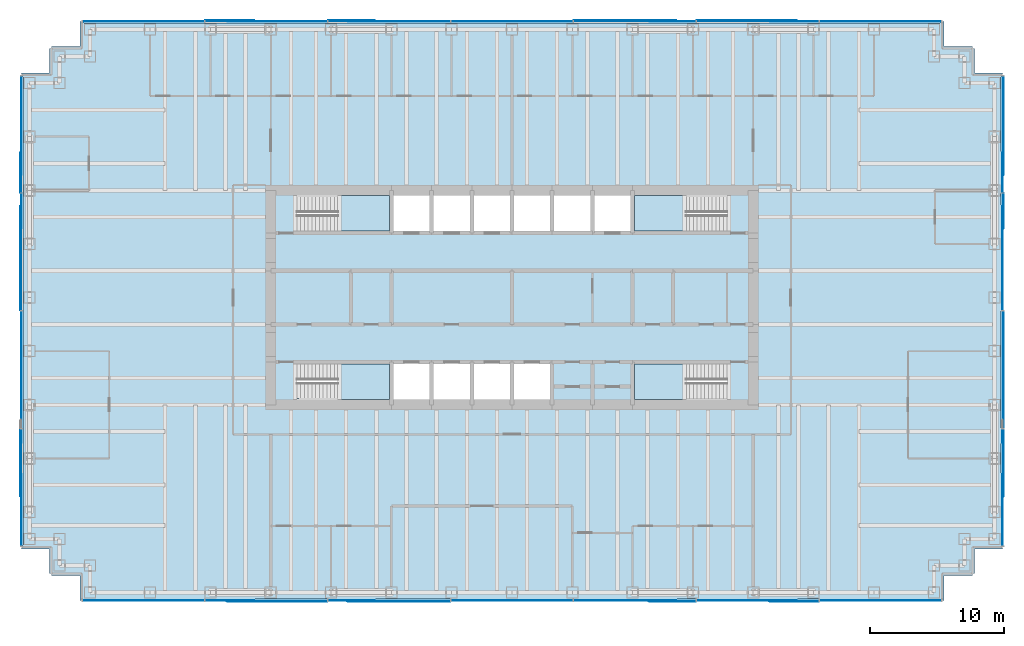
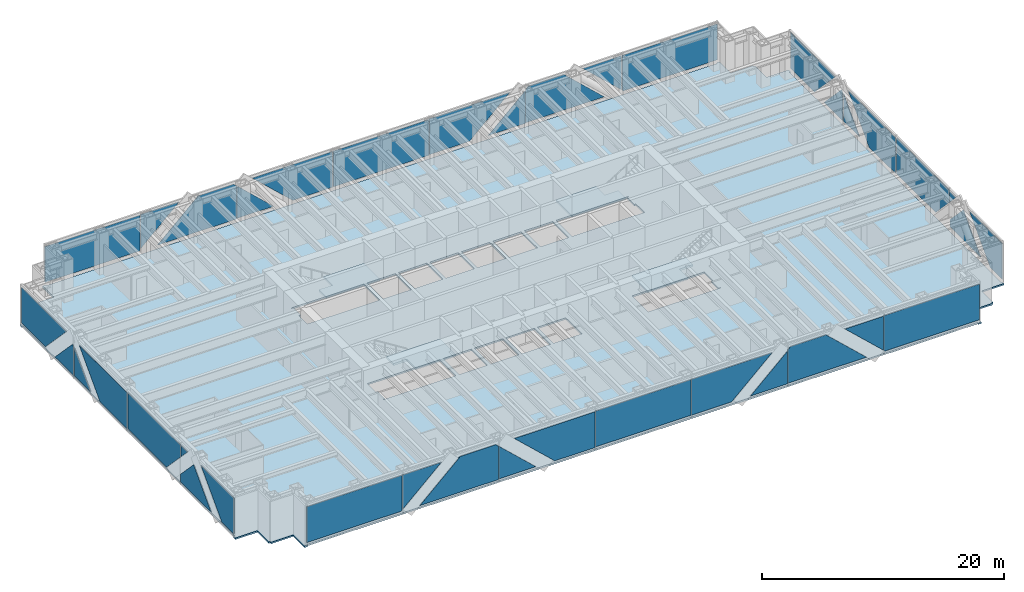
# One storey, part 9 of 17: 38 plates, 5 slabs, 8 elements without a shape of their own.
"""IFC4 building model written with IfcOpenShell, lengths in metres."""

from ifc_helpers import new_model, si_unit, direction, frame, origin, origin_2d, place, context, subcontext, project, spatial, polyline, rectangle, outline, extrude, material, layer, layer_set, type_object, element, aggregate, save


model = new_model("IFC4")

# Units and contexts
model_context = context("Model", 3, precision=1e-05, world=origin(), true_north=direction((0.0, 1.0)))
body_context = subcontext(model_context, "Body", "Model", "MODEL_VIEW")
ifc_project = project(units=[si_unit("LENGTHUNIT", "METRE"), si_unit("AREAUNIT", "SQUARE_METRE"), si_unit("VOLUMEUNIT", "CUBIC_METRE"), si_unit("PLANEANGLEUNIT", "RADIAN"), si_unit("MASSUNIT", "GRAM", prefix="KILO")], contexts=[model_context])

# Site, building, storey
site_placement = place(None, origin())
site = spatial("IfcSite", under=ifc_project, at=site_placement, CompositionType="ELEMENT")
building_placement = place(site_placement, origin())
building = spatial("IfcBuilding", under=site, at=building_placement, Name="Rheinbord Bourse Tower", CompositionType="ELEMENT")
storey_placement = place(building_placement, frame((0.0, 0.0, 223.60009765625)))
storey = spatial("IfcBuildingStorey", under=building, at=storey_placement, Name="L50", CompositionType="ELEMENT", Elevation=223.60009765625)

# Slab
ifc_material_1 = material(Name="Concrete C30/37", Category="concrete")
ifc_layer_1 = layer(ifc_material_1, 0.159912109375)
ifc_layer_set_1 = layer_set([ifc_layer_1], Name="COMPOSITE FLOOR SLAB 160")
slab_type_1 = type_object("IfcSlabType", Name="COMPOSITE FLOOR SLAB 160", PredefinedType="FLOOR", material=ifc_layer_set_1)
slab_1_placement = place(storey_placement, frame((0.0, 0.0, -0.16015625)))
element("IfcSlab", 1, at=slab_1_placement, inside=storey, type_object=slab_type_1, Name="Floor slab L50", PredefinedType="FLOOR", context=body_context, shape_type="SweptSolid", body=[
    extrude(outline(polyline([(1.64990234375, 3.39990234375), (1.5, 3.39990234375), (1.5, 5.25), (-0.60009765625, 5.25), (-0.60009765625, 5.550048828125), (-0.5, 5.550048828125), (-0.5, 40.449951171875), (-0.60009765625, 40.449951171875), (-0.60009765625, 40.75), (1.5, 40.75), (1.5, 42.60009765625), (1.64990234375, 42.60009765625), (1.64990234375, 42.75), (3.75, 42.75), (3.75, 44.60009765625), (4.050048828125, 44.60009765625), (4.050048828125, 44.5), (67.949951171875, 44.5), (67.949951171875, 44.60009765625), (68.25, 44.60009765625), (68.25, 42.75), (70.35009765625, 42.75), (70.35009765625, 42.60009765625), (70.5, 42.60009765625), (70.5, 40.75), (72.60009765625, 40.75), (72.60009765625, 40.449951171875), (72.5, 40.449951171875), (72.5, 5.550048828125), (72.60009765625, 5.550048828125), (72.60009765625, 5.25), (70.5, 5.25), (70.5, 3.39990234375), (70.35009765625, 3.39990234375), (70.35009765625, 3.25), (68.25, 3.25), (68.25, 1.39990234375), (67.949951171875, 1.39990234375), (67.949951171875, 1.5), (4.050048828125, 1.5), (4.050048828125, 1.39990234375), (3.75, 1.39990234375), (3.75, 3.25), (1.64990234375, 3.25), (1.64990234375, 3.39990234375)]), holes=[polyline([(19.949951171875, 19.050048828125), (26.85009765625, 19.050048828125), (26.85009765625, 16.39990234375), (19.949951171875, 16.39990234375), (19.949951171875, 16.449951171875), (20.10009765625, 16.449951171875), (20.10009765625, 17.64990234375), (19.949951171875, 17.64990234375), (19.949951171875, 19.050048828125)]), polyline([(19.949951171875, 31.60009765625), (26.85009765625, 31.60009765625), (26.85009765625, 28.949951171875), (19.949951171875, 28.949951171875), (19.949951171875, 30.35009765625), (20.10009765625, 30.35009765625), (20.10009765625, 31.550048828125), (19.949951171875, 31.550048828125), (19.949951171875, 31.60009765625)]), polyline([(52.050048828125, 16.39990234375), (45.14990234375, 16.39990234375), (45.14990234375, 19.050048828125), (52.050048828125, 19.050048828125), (52.050048828125, 17.64990234375), (51.89990234375, 17.64990234375), (51.89990234375, 16.449951171875), (52.050048828125, 16.449951171875), (52.050048828125, 16.39990234375)]), polyline([(52.050048828125, 28.949951171875), (45.14990234375, 28.949951171875), (45.14990234375, 31.60009765625), (52.050048828125, 31.60009765625), (52.050048828125, 31.550048828125), (51.89990234375, 31.550048828125), (51.89990234375, 30.35009765625), (52.050048828125, 30.35009765625), (52.050048828125, 28.949951171875)]), polyline([(27.14990234375, 16.39990234375), (27.14990234375, 19.050048828125), (29.85009765625, 19.050048828125), (29.85009765625, 16.39990234375), (27.14990234375, 16.39990234375)]), polyline([(27.14990234375, 28.949951171875), (27.14990234375, 31.60009765625), (29.85009765625, 31.60009765625), (29.85009765625, 28.949951171875), (27.14990234375, 28.949951171875)]), polyline([(30.14990234375, 16.39990234375), (30.14990234375, 19.050048828125), (32.85009765625, 19.050048828125), (32.85009765625, 16.39990234375), (30.14990234375, 16.39990234375)]), polyline([(30.14990234375, 28.949951171875), (30.14990234375, 31.60009765625), (32.85009765625, 31.60009765625), (32.85009765625, 28.949951171875), (30.14990234375, 28.949951171875)]), polyline([(33.14990234375, 16.39990234375), (33.14990234375, 19.050048828125), (35.85009765625, 19.050048828125), (35.85009765625, 16.39990234375), (33.14990234375, 16.39990234375)]), polyline([(33.14990234375, 28.949951171875), (33.14990234375, 31.60009765625), (35.85009765625, 31.60009765625), (35.85009765625, 28.949951171875), (33.14990234375, 28.949951171875)]), polyline([(36.14990234375, 16.39990234375), (36.14990234375, 19.050048828125), (38.85009765625, 19.050048828125), (38.85009765625, 16.39990234375), (36.14990234375, 16.39990234375)]), polyline([(36.14990234375, 28.949951171875), (36.14990234375, 31.60009765625), (38.85009765625, 31.60009765625), (38.85009765625, 28.949951171875), (36.14990234375, 28.949951171875)]), polyline([(39.14990234375, 28.949951171875), (39.14990234375, 31.60009765625), (41.85009765625, 31.60009765625), (41.85009765625, 28.949951171875), (39.14990234375, 28.949951171875)]), polyline([(42.14990234375, 28.949951171875), (42.14990234375, 31.60009765625), (44.85009765625, 31.60009765625), (44.85009765625, 28.949951171875), (42.14990234375, 28.949951171875)])]), origin(), (0.0, 0.0, 1.0), 0.16015625),
])

# Curtain wall, plates
ifc_material_2 = material(Name="Dark glass and black aluminium", Category="aluminium")
curtain_wall_type = type_object("IfcCurtainWallType", Name="CW2 DARK GLASS CURTAIN WALL", PredefinedType="USERDEFINED", material=ifc_material_2)
curtain_wall_1_placement = place(storey_placement, origin())
curtain_wall_1 = element("IfcCurtainWall", 2, at=curtain_wall_1_placement, inside=storey, type_object=curtain_wall_type, Name="Curtain wall CW2 S L50", ObjectType="UNITISED CURTAIN WALL", PredefinedType="USERDEFINED")
ifc_material_3 = material(Name="Dark tinted triple insulating glass", Category="glass")
ifc_layer_2 = layer(ifc_material_3, 0.050048828125)
ifc_layer_set_2 = layer_set([ifc_layer_2], Name="CW2 DARK GLASS PANEL")
plate_type = type_object("IfcPlateType", Name="CW2 DARK GLASS PANEL", PredefinedType="CURTAIN_PANEL", material=ifc_layer_set_2)
plate_1_placement = place(storey_placement, frame((36.0, 1.39990234375, 0.2998046875), z_axis=(0.0, 0.0, 1.0), x_axis=(1.0, 0.0, 0.0)))
plate_1 = element("IfcPlate", 3, at=plate_1_placement, type_object=plate_type, Name="CW2 panel 4.1", PredefinedType="CURTAIN_PANEL", context=body_context, shape_type="SweptSolid", body=[
    extrude(rectangle(XDim=9.101318359375, YDim=0.050048828125, at=origin_2d()), origin(), (0.0, 0.0, 1.0), 3.60009765625),
])
plate_2_placement = place(storey_placement, frame((3.969970703125, 1.375, 0.2998046875), z_axis=(0.0, 1.0, 0.0), x_axis=(0.0, 0.0, 1.0)))
plate_2 = element("IfcPlate", 4, at=plate_2_placement, type_object=plate_type, Name="CW2 glass facet 1", PredefinedType="CURTAIN_PANEL", context=body_context, shape_type="SweptSolid", body=[
    extrude(outline(polyline([(0.0, 0.0), (3.60009765625, 0.0), (3.60009765625, 9.06591796875), (0.09521484375, 9.06591796875), (0.0, 8.965087890625), (0.0, 0.0)])), origin(), (0.0, 0.0, 1.0), 0.050048828125),
])
plate_3_placement = place(storey_placement, frame((13.10595703125, 1.375, 3.89990234375), z_axis=(0.0, 1.0, 0.0), x_axis=(1.0, 0.0, 0.0)))
plate_3 = element("IfcPlate", 5, at=plate_3_placement, type_object=plate_type, Name="CW2 glass facet 1", PredefinedType="CURTAIN_PANEL", context=body_context, shape_type="SweptSolid", body=[
    extrude(outline(polyline([(0.0, 0.0), (3.68603515625, 0.0), (0.0, 3.43994140625), (0.0, 0.0)])), origin(), (0.0, 0.0, 1.0), 0.050048828125),
])
plate_4_placement = place(storey_placement, frame((22.2080078125, 1.31982421875, 0.2998046875), z_axis=(0.0, 1.0, 0.0), x_axis=(-1.0, 0.0, 0.0)))
plate_4 = element("IfcPlate", 6, at=plate_4_placement, type_object=plate_type, Name="CW2 glass facet 2", PredefinedType="CURTAIN_PANEL", context=body_context, shape_type="SweptSolid", body=[
    extrude(outline(polyline([(0.0, 0.0), (7.5, 0.0), (3.64306640625, 3.60009765625), (0.27294921875, 3.60009765625), (0.0, 3.34521484375), (0.0, 0.0)])), origin(), (0.0, 0.0, 1.0), 0.050048828125),
])
plate_5_placement = place(storey_placement, frame((22.278076171875, 1.375, 0.2998046875), z_axis=(0.0, 1.0, 0.0), x_axis=(0.0, 0.0, 1.0)))
plate_5 = element("IfcPlate", 7, at=plate_5_placement, type_object=plate_type, Name="CW2 glass facet 1", PredefinedType="CURTAIN_PANEL", context=body_context, shape_type="SweptSolid", body=[
    extrude(outline(polyline([(0.0, 0.0), (3.280029296875, 0.0), (0.0, 3.513916015625), (0.0, 0.0)])), origin(), (0.0, 0.0, 1.0), 0.050048828125),
])
plate_6_placement = place(storey_placement, frame((31.37890625, 1.31982421875, 3.89990234375), z_axis=(0.0, 1.0, 0.0), x_axis=(0.0, 0.0, -1.0)))
plate_6 = element("IfcPlate", 8, at=plate_6_placement, type_object=plate_type, Name="CW2 glass facet 2", PredefinedType="CURTAIN_PANEL", context=body_context, shape_type="SweptSolid", body=[
    extrude(outline(polyline([(0.0, 0.0), (3.60009765625, 0.0), (3.60009765625, 3.81396484375), (0.0, 7.6708984375), (0.0, 0.0)])), origin(), (0.0, 0.0, 1.0), 0.050048828125),
])
plate_7_placement = place(storey_placement, frame((40.62109375, 1.375, 0.2998046875), z_axis=(0.0, 1.0, 0.0), x_axis=(0.0, 0.0, 1.0)))
plate_7 = element("IfcPlate", 9, at=plate_7_placement, type_object=plate_type, Name="CW2 glass facet 1", PredefinedType="CURTAIN_PANEL", context=body_context, shape_type="SweptSolid", body=[
    extrude(outline(polyline([(0.0, 0.0), (3.60009765625, 0.0), (3.60009765625, 7.6708984375), (0.0, 3.81396484375), (0.0, 0.0)])), origin(), (0.0, 0.0, 1.0), 0.050048828125),
])
plate_8_placement = place(storey_placement, frame((49.721923828125, 1.31982421875, 0.2998046875), z_axis=(0.0, 1.0, 0.0), x_axis=(-1.0, 0.0, 0.0)))
plate_8 = element("IfcPlate", 10, at=plate_8_placement, type_object=plate_type, Name="CW2 glass facet 2", PredefinedType="CURTAIN_PANEL", context=body_context, shape_type="SweptSolid", body=[
    extrude(outline(polyline([(0.0, 0.0), (3.513916015625, 0.0), (0.0, 3.280029296875), (0.0, 0.0)])), origin(), (0.0, 0.0, 1.0), 0.050048828125),
])
plate_9_placement = place(storey_placement, frame((49.7919921875, 1.375, 0.2998046875), z_axis=(0.0, 1.0, 0.0), x_axis=(0.0, 0.0, 1.0)))
plate_9 = element("IfcPlate", 11, at=plate_9_placement, type_object=plate_type, Name="CW2 glass facet 1", PredefinedType="CURTAIN_PANEL", context=body_context, shape_type="SweptSolid", body=[
    extrude(outline(polyline([(0.0, 0.0), (3.34521484375, 0.0), (3.60009765625, 0.27294921875), (3.60009765625, 3.64306640625), (0.0, 7.5), (0.0, 0.0)])), origin(), (0.0, 0.0, 1.0), 0.050048828125),
])
plate_10_placement = place(storey_placement, frame((58.89404296875, 1.31982421875, 3.89990234375), z_axis=(0.0, 1.0, 0.0), x_axis=(0.0, 0.0, -1.0)))
plate_10 = element("IfcPlate", 12, at=plate_10_placement, type_object=plate_type, Name="CW2 glass facet 2", PredefinedType="CURTAIN_PANEL", context=body_context, shape_type="SweptSolid", body=[
    extrude(outline(polyline([(0.0, 0.0), (3.43994140625, 0.0), (0.0, 3.68603515625), (0.0, 0.0)])), origin(), (0.0, 0.0, 1.0), 0.050048828125),
])
plate_11_placement = place(storey_placement, frame((58.964111328125, 1.375, 3.89990234375), z_axis=(0.0, 1.0, 0.0), x_axis=(1.0, 0.0, 0.0)))
plate_11 = element("IfcPlate", 13, at=plate_11_placement, type_object=plate_type, Name="CW2 glass facet 1", PredefinedType="CURTAIN_PANEL", context=body_context, shape_type="SweptSolid", body=[
    extrude(outline(polyline([(0.0, 0.0), (9.06591796875, 0.0), (9.06591796875, 3.60009765625), (0.100830078125, 3.60009765625), (0.0, 3.5048828125), (0.0, 0.0)])), origin(), (0.0, 0.0, 1.0), 0.050048828125),
])
aggregate(curtain_wall_1, [plate_1, plate_2, plate_3, plate_4, plate_5, plate_6, plate_7, plate_8, plate_9, plate_10, plate_11])

curtain_wall_2_placement = place(storey_placement, origin())
curtain_wall_2 = element("IfcCurtainWall", 14, at=curtain_wall_2_placement, inside=storey, type_object=curtain_wall_type, Name="Curtain wall CW2 E L50", ObjectType="UNITISED CURTAIN WALL", PredefinedType="USERDEFINED")
plate_12_placement = place(storey_placement, frame((72.625, 5.469970703125, 0.2998046875), z_axis=(-1.0, 0.0, 0.0), x_axis=(0.0, 0.0, 1.0)))
plate_12 = element("IfcPlate", 15, at=plate_12_placement, type_object=plate_type, Name="CW2 glass facet 1", PredefinedType="CURTAIN_PANEL", context=body_context, shape_type="SweptSolid", body=[
    extrude(outline(polyline([(0.0, 0.0), (3.60009765625, 0.0), (3.60009765625, 5.408935546875), (0.0, 1.97998046875), (0.0, 0.0)])), origin(), (0.0, 0.0, 1.0), 0.050048828125),
])
plate_13_placement = place(storey_placement, frame((72.68017578125, 14.1650390625, 0.2998046875), z_axis=(-1.0, 0.0, 0.0), x_axis=(0.0, -1.0, 0.0)))
plate_13 = element("IfcPlate", 16, at=plate_13_placement, type_object=plate_type, Name="CW2 glass facet 2", PredefinedType="CURTAIN_PANEL", context=body_context, shape_type="SweptSolid", body=[
    extrude(outline(polyline([(0.0, 0.0), (5.0439453125, 0.0), (2.1650390625, 3.023193359375), (0.0, 0.7490234375), (0.0, 0.0)])), origin(), (0.0, 0.0, 1.0), 0.050048828125),
])
plate_14_placement = place(storey_placement, frame((72.625, 14.1650390625, 3.89990234375), z_axis=(-1.0, 0.0, 0.0), x_axis=(0.0, 0.0, -1.0)))
plate_14 = element("IfcPlate", 17, at=plate_14_placement, type_object=plate_type, Name="CW2 glass facet 3", PredefinedType="CURTAIN_PANEL", context=body_context, shape_type="SweptSolid", body=[
    extrude(outline(polyline([(0.0, 0.0), (1.095947265625, 0.0), (0.0, 1.0439453125), (0.0, 0.0)])), origin(), (0.0, 0.0, 1.0), 0.050048828125),
])
plate_15_placement = place(storey_placement, frame((72.68017578125, 14.235107421875, 3.89990234375), z_axis=(-1.0, 0.0, 0.0), x_axis=(0.0, 1.0, 0.0)))
plate_15 = element("IfcPlate", 18, at=plate_15_placement, type_object=plate_type, Name="CW2 glass facet 2", PredefinedType="CURTAIN_PANEL", context=body_context, shape_type="SweptSolid", body=[
    extrude(outline(polyline([(0.0, 0.0), (8.72998046875, 0.0), (8.72998046875, 3.60009765625), (2.31494140625, 3.60009765625), (0.0, 1.1689453125), (0.0, 0.0)])), origin(), (0.0, 0.0, 1.0), 0.050048828125),
])
plate_16_placement = place(storey_placement, frame((72.625, 23.034912109375, 0.2998046875), z_axis=(-1.0, 0.0, 0.0), x_axis=(0.0, 0.0, 1.0)))
plate_16 = element("IfcPlate", 19, at=plate_16_placement, type_object=plate_type, Name="CW2 glass facet 1", PredefinedType="CURTAIN_PANEL", context=body_context, shape_type="SweptSolid", body=[
    extrude(outline(polyline([(0.0, 0.0), (3.60009765625, 0.0), (3.60009765625, 7.843994140625), (0.0, 4.4150390625), (0.0, 0.0)])), origin(), (0.0, 0.0, 1.0), 0.050048828125),
])
plate_17_placement = place(storey_placement, frame((72.68017578125, 31.764892578125, 0.2998046875), z_axis=(-1.0, 0.0, 0.0), x_axis=(0.0, -1.0, 0.0)))
plate_17 = element("IfcPlate", 20, at=plate_17_placement, type_object=plate_type, Name="CW2 glass facet 2", PredefinedType="CURTAIN_PANEL", context=body_context, shape_type="SweptSolid", body=[
    extrude(outline(polyline([(0.0, 0.0), (2.643798828125, 0.0), (0.0, 2.776123046875), (0.0, 0.0)])), origin(), (0.0, 0.0, 1.0), 0.050048828125),
])
plate_18_placement = place(storey_placement, frame((72.625, 31.8349609375, 0.2998046875), z_axis=(-1.0, 0.0, 0.0), x_axis=(0.0, 0.0, 1.0)))
plate_18 = element("IfcPlate", 21, at=plate_18_placement, type_object=plate_type, Name="CW2 glass facet 1", PredefinedType="CURTAIN_PANEL", context=body_context, shape_type="SweptSolid", body=[
    extrude(outline(polyline([(0.0, 0.0), (2.85009765625, 0.0), (3.023193359375, 0.1650390625), (0.0, 3.0439453125), (0.0, 0.0)])), origin(), (0.0, 0.0, 1.0), 0.050048828125),
])
plate_19_placement = place(storey_placement, frame((72.68017578125, 40.530029296875, 3.89990234375), z_axis=(-1.0, 0.0, 0.0), x_axis=(0.0, 0.0, -1.0)))
plate_19 = element("IfcPlate", 22, at=plate_19_placement, type_object=plate_type, Name="CW2 glass facet 2", PredefinedType="CURTAIN_PANEL", context=body_context, shape_type="SweptSolid", body=[
    extrude(outline(polyline([(0.0, 0.0), (3.60009765625, 0.0), (3.60009765625, 3.97998046875), (0.0, 7.408935546875), (0.0, 0.0)])), origin(), (0.0, 0.0, 1.0), 0.050048828125),
])
aggregate(curtain_wall_2, [plate_12, plate_13, plate_14, plate_15, plate_16, plate_17, plate_18, plate_19])

curtain_wall_3_placement = place(storey_placement, origin())
curtain_wall_3 = element("IfcCurtainWall", 23, at=curtain_wall_3_placement, inside=storey, type_object=curtain_wall_type, Name="Curtain wall CW2 N L50", ObjectType="UNITISED CURTAIN WALL", PredefinedType="USERDEFINED")
plate_20_placement = place(storey_placement, frame((36.0, 44.60009765625, 0.2998046875), z_axis=(0.0, 0.0, 1.0), x_axis=(-1.0, 0.0, 0.0)))
plate_20 = element("IfcPlate", 24, at=plate_20_placement, type_object=plate_type, Name="CW2 panel 4.1", PredefinedType="CURTAIN_PANEL", context=body_context, shape_type="SweptSolid", body=[
    extrude(rectangle(XDim=9.101318359375, YDim=0.050048828125, at=origin_2d()), origin(), (0.0, 0.0, 1.0), 3.60009765625),
])
plate_21_placement = place(storey_placement, frame((68.030029296875, 44.625, 0.2998046875), z_axis=(0.0, -1.0, 0.0), x_axis=(0.0, 0.0, 1.0)))
plate_21 = element("IfcPlate", 25, at=plate_21_placement, type_object=plate_type, Name="CW2 glass facet 1", PredefinedType="CURTAIN_PANEL", context=body_context, shape_type="SweptSolid", body=[
    extrude(outline(polyline([(0.0, 0.0), (3.60009765625, 0.0), (3.60009765625, 9.06591796875), (0.09521484375, 9.06591796875), (0.0, 8.965087890625), (0.0, 0.0)])), origin(), (0.0, 0.0, 1.0), 0.050048828125),
])
plate_22_placement = place(storey_placement, frame((58.89404296875, 44.625, 3.89990234375), z_axis=(0.0, -1.0, 0.0), x_axis=(-1.0, 0.0, 0.0)))
plate_22 = element("IfcPlate", 26, at=plate_22_placement, type_object=plate_type, Name="CW2 glass facet 1", PredefinedType="CURTAIN_PANEL", context=body_context, shape_type="SweptSolid", body=[
    extrude(outline(polyline([(0.0, 0.0), (3.68603515625, 0.0), (0.0, 3.43994140625), (0.0, 0.0)])), origin(), (0.0, 0.0, 1.0), 0.050048828125),
])
plate_23_placement = place(storey_placement, frame((49.7919921875, 44.68017578125, 0.2998046875), z_axis=(0.0, -1.0, 0.0), x_axis=(1.0, 0.0, 0.0)))
plate_23 = element("IfcPlate", 27, at=plate_23_placement, type_object=plate_type, Name="CW2 glass facet 2", PredefinedType="CURTAIN_PANEL", context=body_context, shape_type="SweptSolid", body=[
    extrude(outline(polyline([(0.0, 0.0), (7.5, 0.0), (3.64306640625, 3.60009765625), (0.27294921875, 3.60009765625), (0.0, 3.34521484375), (0.0, 0.0)])), origin(), (0.0, 0.0, 1.0), 0.050048828125),
])
plate_24_placement = place(storey_placement, frame((49.721923828125, 44.625, 0.2998046875), z_axis=(0.0, -1.0, 0.0), x_axis=(0.0, 0.0, 1.0)))
plate_24 = element("IfcPlate", 28, at=plate_24_placement, type_object=plate_type, Name="CW2 glass facet 1", PredefinedType="CURTAIN_PANEL", context=body_context, shape_type="SweptSolid", body=[
    extrude(outline(polyline([(0.0, 0.0), (3.280029296875, 0.0), (0.0, 3.513916015625), (0.0, 0.0)])), origin(), (0.0, 0.0, 1.0), 0.050048828125),
])
plate_25_placement = place(storey_placement, frame((40.62109375, 44.68017578125, 3.89990234375), z_axis=(0.0, -1.0, 0.0), x_axis=(0.0, 0.0, -1.0)))
plate_25 = element("IfcPlate", 29, at=plate_25_placement, type_object=plate_type, Name="CW2 glass facet 2", PredefinedType="CURTAIN_PANEL", context=body_context, shape_type="SweptSolid", body=[
    extrude(outline(polyline([(0.0, 0.0), (3.60009765625, 0.0), (3.60009765625, 3.81396484375), (0.0, 7.6708984375), (0.0, 0.0)])), origin(), (0.0, 0.0, 1.0), 0.050048828125),
])
plate_26_placement = place(storey_placement, frame((31.37890625, 44.625, 0.2998046875), z_axis=(0.0, -1.0, 0.0), x_axis=(0.0, 0.0, 1.0)))
plate_26 = element("IfcPlate", 30, at=plate_26_placement, type_object=plate_type, Name="CW2 glass facet 1", PredefinedType="CURTAIN_PANEL", context=body_context, shape_type="SweptSolid", body=[
    extrude(outline(polyline([(0.0, 0.0), (3.60009765625, 0.0), (3.60009765625, 7.6708984375), (0.0, 3.81396484375), (0.0, 0.0)])), origin(), (0.0, 0.0, 1.0), 0.050048828125),
])
plate_27_placement = place(storey_placement, frame((22.278076171875, 44.68017578125, 0.2998046875), z_axis=(0.0, -1.0, 0.0), x_axis=(1.0, 0.0, 0.0)))
plate_27 = element("IfcPlate", 31, at=plate_27_placement, type_object=plate_type, Name="CW2 glass facet 2", PredefinedType="CURTAIN_PANEL", context=body_context, shape_type="SweptSolid", body=[
    extrude(outline(polyline([(0.0, 0.0), (3.513916015625, 0.0), (0.0, 3.280029296875), (0.0, 0.0)])), origin(), (0.0, 0.0, 1.0), 0.050048828125),
])
plate_28_placement = place(storey_placement, frame((22.2080078125, 44.625, 0.2998046875), z_axis=(0.0, -1.0, 0.0), x_axis=(0.0, 0.0, 1.0)))
plate_28 = element("IfcPlate", 32, at=plate_28_placement, type_object=plate_type, Name="CW2 glass facet 1", PredefinedType="CURTAIN_PANEL", context=body_context, shape_type="SweptSolid", body=[
    extrude(outline(polyline([(0.0, 0.0), (3.34521484375, 0.0), (3.60009765625, 0.27294921875), (3.60009765625, 3.64306640625), (0.0, 7.5), (0.0, 0.0)])), origin(), (0.0, 0.0, 1.0), 0.050048828125),
])
plate_29_placement = place(storey_placement, frame((13.10595703125, 44.68017578125, 3.89990234375), z_axis=(0.0, -1.0, 0.0), x_axis=(0.0, 0.0, -1.0)))
plate_29 = element("IfcPlate", 33, at=plate_29_placement, type_object=plate_type, Name="CW2 glass facet 2", PredefinedType="CURTAIN_PANEL", context=body_context, shape_type="SweptSolid", body=[
    extrude(outline(polyline([(0.0, 0.0), (3.43994140625, 0.0), (0.0, 3.68603515625), (0.0, 0.0)])), origin(), (0.0, 0.0, 1.0), 0.050048828125),
])
plate_30_placement = place(storey_placement, frame((13.035888671875, 44.625, 3.89990234375), z_axis=(0.0, -1.0, 0.0), x_axis=(-1.0, 0.0, 0.0)))
plate_30 = element("IfcPlate", 34, at=plate_30_placement, type_object=plate_type, Name="CW2 glass facet 1", PredefinedType="CURTAIN_PANEL", context=body_context, shape_type="SweptSolid", body=[
    extrude(outline(polyline([(0.0, 0.0), (9.06591796875, 0.0), (9.06591796875, 3.60009765625), (0.100830078125, 3.60009765625), (0.0, 3.5048828125), (0.0, 0.0)])), origin(), (0.0, 0.0, 1.0), 0.050048828125),
])
aggregate(curtain_wall_3, [plate_20, plate_21, plate_22, plate_23, plate_24, plate_25, plate_26, plate_27, plate_28, plate_29, plate_30])

curtain_wall_4_placement = place(storey_placement, origin())
curtain_wall_4 = element("IfcCurtainWall", 35, at=curtain_wall_4_placement, inside=storey, type_object=curtain_wall_type, Name="Curtain wall CW2 W L50", ObjectType="UNITISED CURTAIN WALL", PredefinedType="USERDEFINED")
plate_31_placement = place(storey_placement, frame((-0.625, 40.530029296875, 0.2998046875), z_axis=(1.0, 0.0, 0.0), x_axis=(0.0, 0.0, 1.0)))
plate_31 = element("IfcPlate", 36, at=plate_31_placement, type_object=plate_type, Name="CW2 glass facet 1", PredefinedType="CURTAIN_PANEL", context=body_context, shape_type="SweptSolid", body=[
    extrude(outline(polyline([(0.0, 0.0), (3.60009765625, 0.0), (3.60009765625, 7.408935546875), (0.0, 3.97998046875), (0.0, 0.0)])), origin(), (0.0, 0.0, 1.0), 0.050048828125),
])
plate_32_placement = place(storey_placement, frame((-0.68017578125, 31.8349609375, 0.2998046875), z_axis=(1.0, 0.0, 0.0), x_axis=(0.0, 1.0, 0.0)))
plate_32 = element("IfcPlate", 37, at=plate_32_placement, type_object=plate_type, Name="CW2 glass facet 2", PredefinedType="CURTAIN_PANEL", context=body_context, shape_type="SweptSolid", body=[
    extrude(outline(polyline([(0.0, 0.0), (3.0439453125, 0.0), (0.1650390625, 3.023193359375), (0.0, 2.85009765625), (0.0, 0.0)])), origin(), (0.0, 0.0, 1.0), 0.050048828125),
])
plate_33_placement = place(storey_placement, frame((-0.625, 31.764892578125, 0.2998046875), z_axis=(1.0, 0.0, 0.0), x_axis=(0.0, 0.0, 1.0)))
plate_33 = element("IfcPlate", 38, at=plate_33_placement, type_object=plate_type, Name="CW2 glass facet 1", PredefinedType="CURTAIN_PANEL", context=body_context, shape_type="SweptSolid", body=[
    extrude(outline(polyline([(0.0, 0.0), (2.776123046875, 0.0), (0.0, 2.643798828125), (0.0, 0.0)])), origin(), (0.0, 0.0, 1.0), 0.050048828125),
])
plate_34_placement = place(storey_placement, frame((-0.68017578125, 23.034912109375, 3.89990234375), z_axis=(1.0, 0.0, 0.0), x_axis=(0.0, 0.0, -1.0)))
plate_34 = element("IfcPlate", 39, at=plate_34_placement, type_object=plate_type, Name="CW2 glass facet 2", PredefinedType="CURTAIN_PANEL", context=body_context, shape_type="SweptSolid", body=[
    extrude(outline(polyline([(0.0, 0.0), (3.60009765625, 0.0), (3.60009765625, 4.4150390625), (0.0, 7.843994140625), (0.0, 0.0)])), origin(), (0.0, 0.0, 1.0), 0.050048828125),
])
plate_35_placement = place(storey_placement, frame((-0.625, 22.965087890625, 0.2998046875), z_axis=(1.0, 0.0, 0.0), x_axis=(0.0, 0.0, 1.0)))
plate_35 = element("IfcPlate", 40, at=plate_35_placement, type_object=plate_type, Name="CW2 glass facet 1", PredefinedType="CURTAIN_PANEL", context=body_context, shape_type="SweptSolid", body=[
    extrude(outline(polyline([(0.0, 0.0), (3.60009765625, 0.0), (3.60009765625, 8.72998046875), (2.43115234375, 8.72998046875), (0.0, 6.4150390625), (0.0, 0.0)])), origin(), (0.0, 0.0, 1.0), 0.050048828125),
])
plate_36_placement = place(storey_placement, frame((-0.625, 14.1650390625, 3.89990234375), z_axis=(1.0, 0.0, 0.0), x_axis=(0.0, -1.0, 0.0)))
plate_36 = element("IfcPlate", 41, at=plate_36_placement, type_object=plate_type, Name="CW2 glass facet 1", PredefinedType="CURTAIN_PANEL", context=body_context, shape_type="SweptSolid", body=[
    extrude(outline(polyline([(0.0, 0.0), (1.0439453125, 0.0), (0.0, 1.095947265625), (0.0, 0.0)])), origin(), (0.0, 0.0, 1.0), 0.050048828125),
])
plate_37_placement = place(storey_placement, frame((-0.68017578125, 14.1650390625, 0.2998046875), z_axis=(1.0, 0.0, 0.0), x_axis=(0.0, 0.0, 1.0)))
plate_37 = element("IfcPlate", 42, at=plate_37_placement, type_object=plate_type, Name="CW2 glass facet 2", PredefinedType="CURTAIN_PANEL", context=body_context, shape_type="SweptSolid", body=[
    extrude(outline(polyline([(0.0, 0.0), (0.7490234375, 0.0), (3.023193359375, 2.1650390625), (0.0, 5.0439453125), (0.0, 0.0)])), origin(), (0.0, 0.0, 1.0), 0.050048828125),
])
plate_38_placement = place(storey_placement, frame((-0.625, 5.469970703125, 3.89990234375), z_axis=(1.0, 0.0, 0.0), x_axis=(0.0, 0.0, -1.0)))
plate_38 = element("IfcPlate", 43, at=plate_38_placement, type_object=plate_type, Name="CW2 glass facet 3", PredefinedType="CURTAIN_PANEL", context=body_context, shape_type="SweptSolid", body=[
    extrude(outline(polyline([(0.0, 0.0), (3.60009765625, 0.0), (3.60009765625, 1.97998046875), (0.0, 5.408935546875), (0.0, 0.0)])), origin(), (0.0, 0.0, 1.0), 0.050048828125),
])
aggregate(curtain_wall_4, [plate_31, plate_32, plate_33, plate_34, plate_35, plate_36, plate_37, plate_38])

# Stair, slab
ifc_material_4 = material(Name="Concrete C30/37", Category="concrete")
stair_type = type_object("IfcStairType", Name="CORE STAIR HALF TURN 4200", PredefinedType="HALF_TURN_STAIR", material=ifc_material_4)
stair_1_placement = place(storey_placement, origin())
stair_1 = element("IfcStair", 44, at=stair_1_placement, inside=storey, type_object=stair_type, Name="Stair ST1 L50, type CS6", PredefinedType="HALF_TURN_STAIR")
ifc_material_5 = material(Name="Concrete C30/37", Category="concrete")
ifc_layer_3 = layer(ifc_material_5, 0.199951171875)
ifc_layer_set_3 = layer_set([ifc_layer_3], Name="STAIR LANDING 200")
slab_type_2 = type_object("IfcSlabType", Name="STAIR LANDING 200", PredefinedType="LANDING", material=ifc_layer_set_3)
slab_2_placement = place(storey_placement, frame((0.0, 0.0, 1.89990234375)))
slab_2 = element("IfcSlab", 45, at=slab_2_placement, type_object=slab_type_2, Name="Half landing ST1 L50", PredefinedType="LANDING", context=body_context, shape_type="SweptSolid", body=[
    extrude(outline(polyline([(23.030029296875, 16.39990234375), (26.85009765625, 16.39990234375), (26.85009765625, 19.050048828125), (21.748046875, 19.050048828125), (21.748046875, 17.85009765625), (23.030029296875, 17.85009765625), (23.030029296875, 16.39990234375)])), origin(), (0.0, 0.0, 1.0), 0.199951171875),
])
aggregate(stair_1, [slab_2])

stair_2_placement = place(storey_placement, origin())
stair_2 = element("IfcStair", 46, at=stair_2_placement, inside=storey, type_object=stair_type, Name="Stair ST2 L50, type CS6", PredefinedType="HALF_TURN_STAIR")
slab_3_placement = place(storey_placement, frame((0.0, 0.0, 1.89990234375)))
slab_3 = element("IfcSlab", 47, at=slab_3_placement, type_object=slab_type_2, Name="Half landing ST2 L50", PredefinedType="LANDING", context=body_context, shape_type="SweptSolid", body=[
    extrude(outline(polyline([(21.748046875, 28.949951171875), (26.85009765625, 28.949951171875), (26.85009765625, 31.60009765625), (23.030029296875, 31.60009765625), (23.030029296875, 30.14990234375), (21.748046875, 30.14990234375), (21.748046875, 28.949951171875)])), origin(), (0.0, 0.0, 1.0), 0.199951171875),
])
aggregate(stair_2, [slab_3])

stair_3_placement = place(storey_placement, origin())
stair_3 = element("IfcStair", 48, at=stair_3_placement, inside=storey, type_object=stair_type, Name="Stair ST3 L50, type CS6", PredefinedType="HALF_TURN_STAIR")
slab_4_placement = place(storey_placement, frame((0.0, 0.0, 1.89990234375)))
slab_4 = element("IfcSlab", 49, at=slab_4_placement, type_object=slab_type_2, Name="Half landing ST3 L50", PredefinedType="LANDING", context=body_context, shape_type="SweptSolid", body=[
    extrude(outline(polyline([(45.14990234375, 16.39990234375), (48.969970703125, 16.39990234375), (48.969970703125, 17.85009765625), (50.251953125, 17.85009765625), (50.251953125, 19.050048828125), (45.14990234375, 19.050048828125), (45.14990234375, 16.39990234375)])), origin(), (0.0, 0.0, 1.0), 0.199951171875),
])
aggregate(stair_3, [slab_4])

stair_4_placement = place(storey_placement, origin())
stair_4 = element("IfcStair", 50, at=stair_4_placement, inside=storey, type_object=stair_type, Name="Stair ST4 L50, type CS6", PredefinedType="HALF_TURN_STAIR")
slab_5_placement = place(storey_placement, frame((0.0, 0.0, 1.89990234375)))
slab_5 = element("IfcSlab", 51, at=slab_5_placement, type_object=slab_type_2, Name="Half landing ST4 L50", PredefinedType="LANDING", context=body_context, shape_type="SweptSolid", body=[
    extrude(outline(polyline([(45.14990234375, 28.949951171875), (50.251953125, 28.949951171875), (50.251953125, 30.14990234375), (48.969970703125, 30.14990234375), (48.969970703125, 31.60009765625), (45.14990234375, 31.60009765625), (45.14990234375, 28.949951171875)])), origin(), (0.0, 0.0, 1.0), 0.199951171875),
])
aggregate(stair_4, [slab_5])

save(model, "model.ifc")
